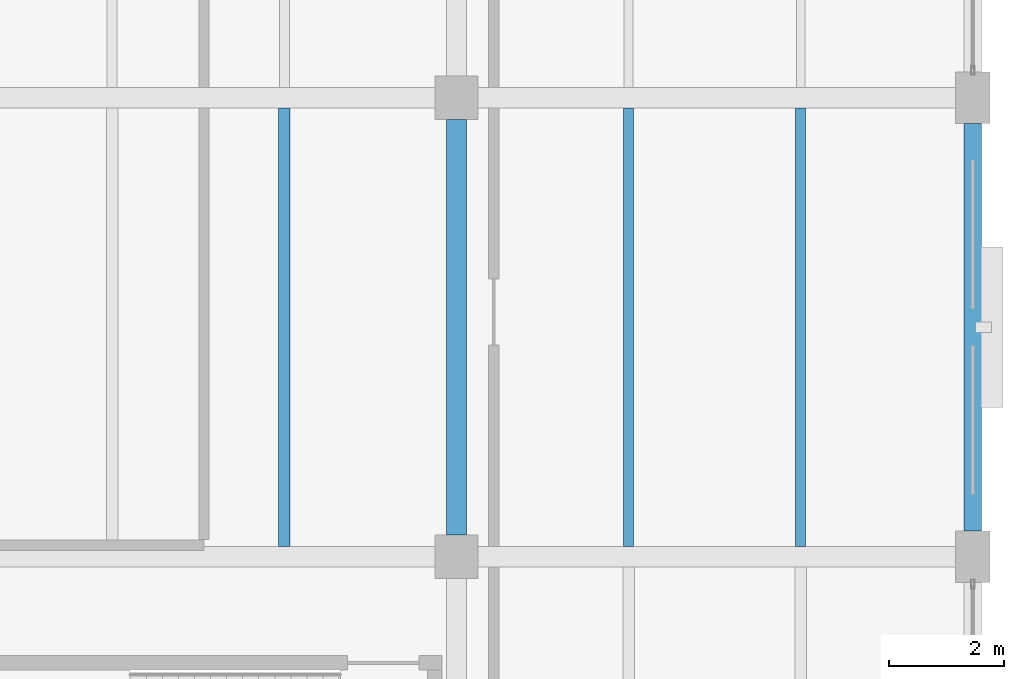
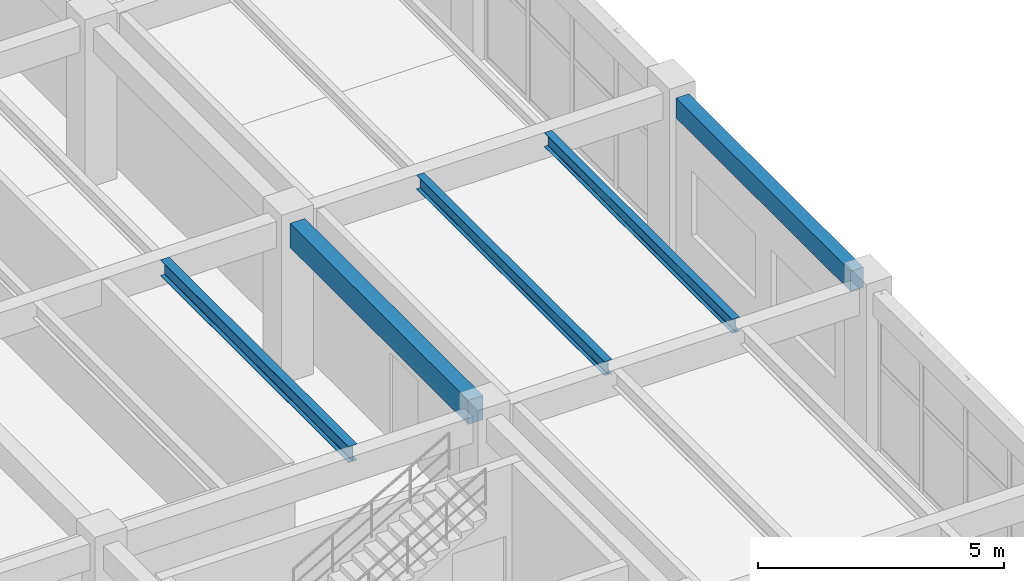
# One storey, part 76 of 128: 5 beams.
"""IFC4 building model written with IfcOpenShell, lengths in metres."""

from ifc_helpers import new_model, si_unit, derived_unit, direction, frame, origin, origin_2d, place, context, subcontext, project, spatial, rectangle, i_section, extrude, material, material_profile, profile_set, type_object, element, save


model = new_model("IFC4")

# Units and contexts
model_context = context("Model", 3, precision=1e-05, world=origin(), true_north=direction((0.0, 1.0)))
body_context = subcontext(model_context, "Body", "Model", "MODEL_VIEW")
ifc_project = project(units=[si_unit("LENGTHUNIT", "METRE"), si_unit("AREAUNIT", "SQUARE_METRE"), si_unit("VOLUMEUNIT", "CUBIC_METRE"), si_unit("PLANEANGLEUNIT", "RADIAN"), si_unit("MASSUNIT", "GRAM", prefix="KILO"), derived_unit("THERMALTRANSMITTANCEUNIT", [(si_unit("MASSUNIT", "GRAM", prefix="KILO"), 1), (si_unit("TIMEUNIT", "SECOND"), -3), (si_unit("THERMODYNAMICTEMPERATUREUNIT", "KELVIN"), -1)])], contexts=[model_context])

# Site, building, storey
site_placement = place(None, origin())
site = spatial("IfcSite", under=ifc_project, at=site_placement, CompositionType="ELEMENT")
building_placement = place(site_placement, origin())
building = spatial("IfcBuilding", under=site, at=building_placement, Name="Zhenchuan Archway Interchange", CompositionType="ELEMENT")
storey_placement = place(building_placement, frame((0.0, 0.0, 14.39990234375)))
storey = spatial("IfcBuildingStorey", under=building, at=storey_placement, Name="L03", CompositionType="ELEMENT", Elevation=14.39990234375)

# Beams
ifc_material_1 = material(Name="Concrete C40", Category="concrete")
ifc_material_profile_1 = material_profile(ifc_material_1, rectangle(XDim=0.35009765625, YDim=0.60009765625, at=origin_2d()), Name="RC 350x600")
ifc_profile_set_1 = profile_set([ifc_material_profile_1], Name="Concrete C40")
beam_type_1 = type_object("IfcBeamType", Name="BM_RC_350x600", PredefinedType="BEAM", material=ifc_profile_set_1)
beam_1_placement = place(storey_placement, frame((162.0, 24.375, 3.630126953125), z_axis=(0.0, 1.0, 0.0), x_axis=(-1.0, 0.0, 0.0)))
element("IfcBeam", 1, at=beam_1_placement, inside=storey, type_object=beam_type_1, Name="Beam 19:D-E (L03)", PredefinedType="BEAM", context=body_context, shape_type="SweptSolid", body=[
    extrude(rectangle(XDim=0.35009765625, YDim=0.60009765625, at=origin_2d()), origin(), (0.0, 0.0, 1.0), 7.25),
])
ifc_material_2 = material(Name="Steel Q355", Category="steel")
ifc_material_profile_2 = material_profile(ifc_material_2, i_section(OverallWidth=0.175048828125, OverallDepth=0.35009765625, WebThickness=0.007080078125, FlangeThickness=0.010986328125, FilletRadius=0.013916015625, at=origin_2d()), Name="HN 350x175")
ifc_profile_set_2 = profile_set([ifc_material_profile_2], Name="Steel Q355")
beam_type_2 = type_object("IfcBeamType", Name="JST_STL_HN350", PredefinedType="JOIST", material=ifc_profile_set_2)
for number, where, z_axis, x_axis, name in (
    (2, (165.0, 24.175048828125, 3.755126953125), (0.0, 1.0, 0.0), (-1.0, 0.0, 0.0), "Secondary joist 19-20/D-E #1 (L03)"),
    (3, (168.0, 24.175048828125, 3.755126953125), (0.0, 1.0, 0.0), (-1.0, 0.0, 0.0), "Secondary joist 19-20/D-E #2 (L03)"),
):
    element("IfcBeam", number, at=place(storey_placement, frame(where, z_axis=z_axis, x_axis=x_axis)), inside=storey, type_object=beam_type_2, Name=name, PredefinedType="JOIST", context=body_context, shape_type="SweptSolid", body=[
        extrude(i_section(OverallWidth=0.175048828125, OverallDepth=0.35009765625, WebThickness=0.007080078125, FlangeThickness=0.010986328125, FilletRadius=0.013916015625, at=origin_2d()), origin(), (0.0, 0.0, 1.0), 7.64990234375),
    ])
ifc_material_profile_3 = material_profile(ifc_material_2, i_section(OverallWidth=0.199951171875, OverallDepth=0.39990234375, WebThickness=0.008056640625, FlangeThickness=0.012939453125, FilletRadius=0.01611328125, at=origin_2d()), Name="HN 400x200")
ifc_profile_set_3 = profile_set([ifc_material_profile_3], Name="Steel Q355")
beam_type_3 = type_object("IfcBeamType", Name="JST_STL_HN400", PredefinedType="JOIST", material=ifc_profile_set_3)
beam_2_placement = place(storey_placement, frame((159.0, 24.175048828125, 3.72998046875), z_axis=(0.0, 1.0, 0.0), x_axis=(-1.0, 0.0, 0.0)))
element("IfcBeam", 4, at=beam_2_placement, inside=storey, type_object=beam_type_3, Name="Secondary joist 18-19/D-E #2 (L03)", PredefinedType="JOIST", context=body_context, shape_type="SweptSolid", body=[
    extrude(i_section(OverallWidth=0.199951171875, OverallDepth=0.39990234375, WebThickness=0.008056640625, FlangeThickness=0.012939453125, FilletRadius=0.01611328125, at=origin_2d()), origin(), (0.0, 0.0, 1.0), 7.64990234375),
])
ifc_material_profile_4 = material_profile(ifc_material_1, rectangle(XDim=0.300048828125, YDim=0.5, at=origin_2d()), Name="RC 300x500")
ifc_profile_set_4 = profile_set([ifc_material_profile_4], Name="Concrete C40")
beam_type_4 = type_object("IfcBeamType", Name="SP_RC_300x500", PredefinedType="SPANDREL", material=ifc_profile_set_4)
beam_3_placement = place(storey_placement, frame((171.0, 24.449951171875, 3.68017578125), z_axis=(0.0, 1.0, 0.0), x_axis=(-1.0, 0.0, 0.0)))
element("IfcBeam", 5, at=beam_3_placement, inside=storey, type_object=beam_type_4, Name="Beam 20:D-E (L03)", PredefinedType="SPANDREL", context=body_context, shape_type="SweptSolid", body=[
    extrude(rectangle(XDim=0.300048828125, YDim=0.5, at=origin_2d()), origin(), (0.0, 0.0, 1.0), 7.10009765625),
])

save(model, "model.ifc")
